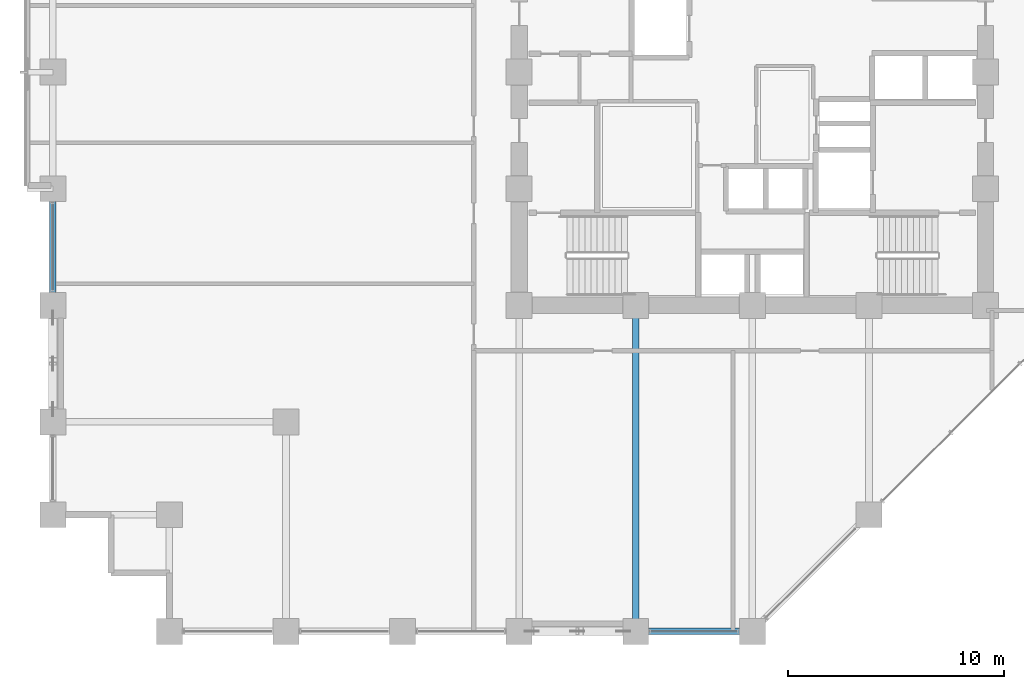
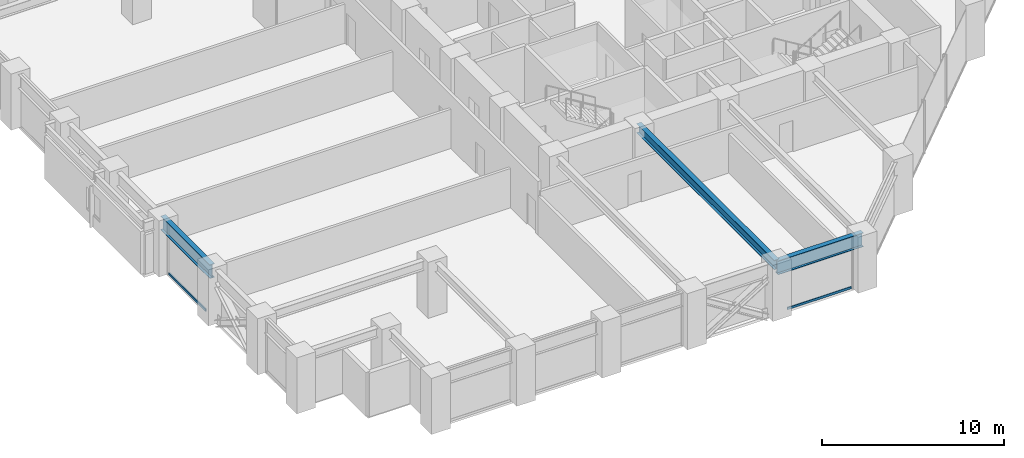
# One storey, part 5 of 27: 3 beams, 2 members, 2 elements without a shape of their own.
"""IFC4 building model written with IfcOpenShell, lengths in metres."""

import ifcopenshell
import ifcopenshell.guid

model = None  # the IFC model being written
_history = None  # IfcOwnerHistory: only IFC2X3 demands one
_inside = {}  # id of a spatial element -> (the spatial element, [elements in it])
_under = {}  # id of a project, library or spatial element -> (it, [spatial elements below it])
_declared = {}  # id of a project -> (the project, [libraries it declares])
_typed = {}  # id of a type object -> (the type object, [elements of that type])
_made_of = {}  # id of a material, layer set ... -> (it, [elements and type objects made of it])


def new_model(schema):
    """Start an empty IFC model of exactly this schema.

    Asked for "IFC4X3", IfcOpenShell would pick the latest addendum, in which some entities
    have other attributes; the version numbers below select the first issue.
    IFC2X3 requires an IfcOwnerHistory on every rooted entity: one is made here for all.
    """
    global model, _history
    if schema == "IFC4X3":
        model = ifcopenshell.file(schema_version=(4, 3, 0, 0))
    else:
        model = ifcopenshell.file(schema=schema)
    _inside.clear()
    _under.clear()
    _declared.clear()
    _typed.clear()
    _made_of.clear()
    _history = None
    if model.schema == "IFC2X3":
        org = make("IfcOrganization", Name="unknown")
        user = make(
            "IfcPersonAndOrganization",
            ThePerson=make("IfcPerson", FamilyName="unknown"),
            TheOrganization=org,
        )
        app = make(
            "IfcApplication",
            ApplicationDeveloper=org,
            Version="unknown",
            ApplicationFullName="unknown",
            ApplicationIdentifier="unknown",
        )
        _history = make(
            "IfcOwnerHistory",
            OwningUser=user,
            OwningApplication=app,
            ChangeAction="ADDED",
            CreationDate=0,
        )
    return model


def make(cls, **values):
    """One entity of the class cls with the attributes given. An attribute that is None is left unset."""
    return model.create_entity(
        cls, **{name: value for name, value in values.items() if value is not None}
    )


def rooted(cls, **values):
    """An entity with a GlobalId (a new one), such as an element, a storey or a relation."""
    return make(cls, GlobalId=ifcopenshell.guid.new(), OwnerHistory=_history, **values)


def si_unit(unit_type, name, prefix=None):
    """IfcSIUnit, for example si_unit("LENGTHUNIT", "METRE", prefix="MILLI")."""
    return make("IfcSIUnit", UnitType=unit_type, Prefix=prefix, Name=name)


def assignment(units):
    """IfcUnitAssignment: the units of a project."""
    return None if units is None else make("IfcUnitAssignment", Units=units)


def point(xyz):
    """IfcCartesianPoint."""
    return None if xyz is None else make("IfcCartesianPoint", Coordinates=xyz)


def direction(xyz):
    """IfcDirection."""
    return None if xyz is None else make("IfcDirection", DirectionRatios=xyz)


def frame(location, z_axis=None, x_axis=None):
    """IfcAxis2Placement3D, a coordinate frame: its origin and axes. An axis left out is left unset."""
    return make(
        "IfcAxis2Placement3D",
        Location=point(location),
        Axis=direction(z_axis),
        RefDirection=direction(x_axis),
    )


def frame_2d(location, x_axis=None):
    """IfcAxis2Placement2D, a coordinate frame in the plane: its origin and x axis."""
    return make(
        "IfcAxis2Placement2D", Location=point(location), RefDirection=direction(x_axis)
    )


def origin():
    """The frame at (0, 0, 0) with its axes left unset."""
    return frame((0.0, 0.0, 0.0))


def origin_2d():
    """The frame at (0, 0) in the plane with its x axis left unset."""
    return frame_2d((0.0, 0.0))


def place(relative_to, where):
    """IfcLocalPlacement: puts the frame where relative to a parent placement (None: the world)."""
    return make(
        "IfcLocalPlacement", PlacementRelTo=relative_to, RelativePlacement=where
    )


def context(
    kind, dimensions, precision=None, world=None, true_north=None, identifier=None
):
    """IfcGeometricRepresentationContext, for example the 3D "Model" context."""
    return make(
        "IfcGeometricRepresentationContext",
        ContextIdentifier=identifier,
        ContextType=kind,
        CoordinateSpaceDimension=dimensions,
        Precision=precision,
        WorldCoordinateSystem=world,
        TrueNorth=true_north,
    )


def subcontext(parent, identifier, kind, view, scale=None):
    """IfcGeometricRepresentationSubContext, for example "Body" below "Model"."""
    return make(
        "IfcGeometricRepresentationSubContext",
        ContextIdentifier=identifier,
        ContextType=kind,
        ParentContext=parent,
        TargetScale=scale,
        TargetView=view,
    )


def project(units=None, contexts=None):
    """IfcProject with its units and contexts."""
    return rooted(
        "IfcProject",
        Name="project",
        RepresentationContexts=contexts,
        UnitsInContext=assignment(units),
    )


def spatial(cls, under=None, at=None, **own):
    """A site, building, storey or space (cls), placed at a placement, below another one or the project."""
    s = rooted(cls, ObjectPlacement=at, **own)
    if under is not None:
        _under.setdefault(under.id(), (under, []))[1].append(s)
    return s


def profile(cls, at=None, kind="AREA", **sizes):
    """A parametric profile (cls). Its sizes go by their IFC names, for example OverallWidth=200.0."""
    return make(cls, ProfileType=kind, Position=at, **sizes)


def hollow_rectangle(**sizes):
    """IfcRectangleHollowProfileDef."""
    return profile("IfcRectangleHollowProfileDef", **sizes)


def i_section(**sizes):
    """IfcIShapeProfileDef."""
    return profile("IfcIShapeProfileDef", **sizes)


def extrude(swept, where, along, depth):
    """IfcExtrudedAreaSolid: the profile swept, set in the frame where, extruded along a direction by depth."""
    return make(
        "IfcExtrudedAreaSolid",
        SweptArea=swept,
        Position=where,
        ExtrudedDirection=direction(along),
        Depth=depth,
    )


def shape(context_of_items, identifier, shape_type, items):
    """IfcShapeRepresentation: the items that make up one representation, for example the "Body"."""
    return make(
        "IfcShapeRepresentation",
        ContextOfItems=context_of_items,
        RepresentationIdentifier=identifier,
        RepresentationType=shape_type,
        Items=items,
    )


def material(Name=None, Category=None):
    """IfcMaterial."""
    return make("IfcMaterial", Name=Name, Category=Category)


def layer(
    of_material, thickness, ventilated=None, Name=None, Category=None, Priority=None
):
    """IfcMaterialLayer: one layer of a wall or slab, of a material (None: an air gap)."""
    return make(
        "IfcMaterialLayer",
        Material=of_material,
        LayerThickness=thickness,
        IsVentilated=ventilated,
        Name=Name,
        Category=Category,
        Priority=Priority,
    )


def layer_set(layers, Name=None):
    """IfcMaterialLayerSet."""
    return make("IfcMaterialLayerSet", MaterialLayers=layers, LayerSetName=Name)


def material_profile(
    of_material, cross_section, Name=None, Category=None, Priority=None
):
    """IfcMaterialProfile: a cross section and its material."""
    return make(
        "IfcMaterialProfile",
        Name=Name,
        Material=of_material,
        Profile=cross_section,
        Priority=Priority,
        Category=Category,
    )


def profile_set(profiles, Name=None, composite=None):
    """IfcMaterialProfileSet."""
    return make(
        "IfcMaterialProfileSet",
        Name=Name,
        MaterialProfiles=profiles,
        CompositeProfile=composite,
    )


def made_of(thing, what):
    """Note that an element or type object is made of a material, layer set ...; save() writes the relation."""
    if what is not None:
        _made_of.setdefault(what.id(), (what, []))[1].append(thing)
    return thing


def type_object(cls, material=None, **own):
    """A type object (cls), such as IfcWallType, which elements share."""
    return made_of(rooted(cls, **own), material)


def element(
    cls,
    number,
    at=None,
    inside=None,
    cuts=None,
    type_object=None,
    material=None,
    context=None,
    identifier="Body",
    shape_type=None,
    held_by="IfcProductDefinitionShape",
    body=None,
    shapes=None,
    **own,
):
    """One element of the class cls, such as IfcWall. Its Tag is "e" and its number.

    at: its placement. inside: the storey or other place that contains it. cuts: it is an
    opening in that element (IfcRelVoidsElement). A single representation is given by context,
    identifier, shape_type and body (its items); several are given by shapes. held_by: the class
    of the entity that holds the representations. save() writes the other relations.
    """
    e = rooted(cls, Tag="e%d" % number, ObjectPlacement=at, **own)
    if body is not None:
        shapes = [shape(context, identifier, shape_type, body)]
    if shapes is not None:
        e.Representation = make(held_by, Representations=shapes)
    if inside is not None:
        _inside.setdefault(inside.id(), (inside, []))[1].append(e)
    if cuts is not None:
        rooted(
            "IfcRelVoidsElement", RelatingBuildingElement=cuts, RelatedOpeningElement=e
        )
    if type_object is not None:
        _typed.setdefault(type_object.id(), (type_object, []))[1].append(e)
    return made_of(e, material)


def aggregate(whole, parts):
    """IfcRelAggregates: a whole, such as a stair, and the parts it consists of."""
    return rooted("IfcRelAggregates", RelatingObject=whole, RelatedObjects=parts)


def save(model, path):
    """Write the relations noted so far, then the file.

    IfcRelAggregates (storeys below a building ...), IfcRelContainedInSpatialStructure (elements
    in a storey), IfcRelDefinesByType, IfcRelAssociatesMaterial and IfcRelDeclares: one each for
    every whole, place, type object, material and project.
    """
    for whole, parts in _under.values():
        aggregate(whole, parts)
    for where, things in _inside.values():
        rooted(
            "IfcRelContainedInSpatialStructure",
            RelatedElements=things,
            RelatingStructure=where,
        )
    for kind, things in _typed.values():
        rooted("IfcRelDefinesByType", RelatedObjects=things, RelatingType=kind)
    for what, things in _made_of.values():
        rooted("IfcRelAssociatesMaterial", RelatedObjects=things, RelatingMaterial=what)
    for by, libraries in _declared.values():
        rooted("IfcRelDeclares", RelatingContext=by, RelatedDefinitions=libraries)
    model.write(path)


model = new_model("IFC4")

# Units and contexts
model_context = context("Model", 3, precision=1e-05, world=origin(), true_north=direction((0.0, 1.0)))
body_context = subcontext(model_context, "Body", "Model", "MODEL_VIEW")
ifc_project = project(units=[si_unit("LENGTHUNIT", "METRE"), si_unit("AREAUNIT", "SQUARE_METRE"), si_unit("VOLUMEUNIT", "CUBIC_METRE"), si_unit("PLANEANGLEUNIT", "RADIAN"), si_unit("MASSUNIT", "GRAM", prefix="KILO")], contexts=[model_context])

# Site, building, storey
site_placement = place(None, origin())
site = spatial("IfcSite", under=ifc_project, at=site_placement, CompositionType="ELEMENT")
building_placement = place(site_placement, origin())
building = spatial("IfcBuilding", under=site, at=building_placement, Name="Surkhivell Harbour Commons", CompositionType="ELEMENT")
storey_placement = place(building_placement, frame((0.0, 0.0, 56.25)))
storey = spatial("IfcBuildingStorey", under=building, at=storey_placement, Name="L14", CompositionType="ELEMENT", Elevation=56.25)

# Beams
ifc_material_1 = material(Name="Steel S355", Category="steel")
ifc_material_profile_1 = material_profile(ifc_material_1, i_section(OverallWidth=0.306884765625, OverallDepth=0.6201171875, WebThickness=0.01416015625, FlangeThickness=0.023681640625, at=origin_2d()), Name="UB610x305x179")
ifc_profile_set_1 = profile_set([ifc_material_profile_1], Name="Steel S355")
beam_type_1 = type_object("IfcBeamType", Name="BM-GRD-610A", PredefinedType="BEAM", material=ifc_profile_set_1)
beam_1_placement = place(storey_placement, frame((-5.39990234375, -25.89990234375, 3.260009765625), z_axis=(0.0, 1.0, 0.0), x_axis=(-1.0, 0.0, 0.0)))
element("IfcBeam", 1, at=beam_1_placement, inside=storey, type_object=beam_type_1, Name="L14 Floor Girder (-5.4,-25.9)", PredefinedType="BEAM", context=body_context, shape_type="SweptSolid", body=[
    extrude(i_section(OverallWidth=0.306884765625, OverallDepth=0.6201171875, WebThickness=0.01416015625, FlangeThickness=0.023681640625, at=origin_2d()), origin(), (0.0, 0.0, 1.0), 15.099853515625),
])
ifc_material_2 = material(Name="Steel S460", Category="steel")
ifc_material_profile_2 = material_profile(ifc_material_2, i_section(OverallWidth=0.30810546875, OverallDepth=0.927001953125, WebThickness=0.01953125, FlangeThickness=0.031982421875, at=origin_2d()), Name="UB914x305x289")
ifc_profile_set_2 = profile_set([ifc_material_profile_2], Name="Steel S460")
beam_type_2 = type_object("IfcBeamType", Name="BM-SPN-914B", PredefinedType="SPANDREL", material=ifc_profile_set_2)
beam_2_placement = place(storey_placement, frame((-32.39990234375, -10.800048828125, 3.1064453125), z_axis=(0.0, 1.0, 0.0), x_axis=(-1.0, 0.0, 0.0)))
element("IfcBeam", 2, at=beam_2_placement, inside=storey, type_object=beam_type_2, Name="L14 Tube Spandrel (-32.4,-10.8)", PredefinedType="SPANDREL", context=body_context, shape_type="SweptSolid", body=[
    extrude(i_section(OverallWidth=0.30810546875, OverallDepth=0.927001953125, WebThickness=0.01953125, FlangeThickness=0.031982421875, at=origin_2d()), origin(), (0.0, 0.0, 1.0), 5.400146484375),
])
beam_3_placement = place(storey_placement, frame((-5.39990234375, -25.89990234375, 3.1064453125), z_axis=(1.0, 0.0, 0.0), x_axis=(0.0, 1.0, 0.0)))
element("IfcBeam", 3, at=beam_3_placement, inside=storey, type_object=beam_type_2, Name="L14 Tube Spandrel (-5.4,-25.9)", PredefinedType="SPANDREL", context=body_context, shape_type="SweptSolid", body=[
    extrude(i_section(OverallWidth=0.30810546875, OverallDepth=0.927001953125, WebThickness=0.01953125, FlangeThickness=0.031982421875, at=origin_2d()), origin(), (0.0, 0.0, 1.0), 5.39990234375),
])

# Curtain wall, member
ifc_material_3 = material(Name="Anodised pale-metal aluminium and insulated glazing", Category="aluminium")
ifc_layer = layer(ifc_material_3, 0.219970703125)
ifc_layer_set = layer_set([ifc_layer], Name="Anodised pale-metal aluminium and insulated glazing")
curtain_wall_type = type_object("IfcCurtainWallType", Name="CW-SYS-Z1", PredefinedType="NOTDEFINED", material=ifc_layer_set)
curtain_wall_1_placement = place(storey_placement, origin())
curtain_wall_1 = element("IfcCurtainWall", 4, at=curtain_wall_1_placement, inside=storey, type_object=curtain_wall_type, Name="L14 Curtain Wall CW-L14-E00S2", PredefinedType="NOTDEFINED")
ifc_material_4 = material(Name="Anodised pale-metal aluminium alloy 6063-T6", Category="aluminium")
ifc_material_profile_3 = material_profile(ifc_material_4, hollow_rectangle(XDim=0.074951171875, YDim=0.14990234375, WallThickness=0.00341796875, at=origin_2d()), Name="ALU-TRAN-75x150")
ifc_profile_set_3 = profile_set([ifc_material_profile_3], Name="Anodised pale-metal aluminium alloy 6063-T6")
member_type = type_object("IfcMemberType", Name="CWT-150", PredefinedType="USERDEFINED", material=ifc_profile_set_3)
member_1_placement = place(storey_placement, frame((-4.722900390625, -25.89990234375, 0.074951171875), z_axis=(1.0, 0.0, 0.0), x_axis=(0.0, 1.0, 0.0)))
member_1 = element("IfcMember", 5, at=member_1_placement, type_object=member_type, Name="CW-Z1 transom 1.1", ObjectType="TRANSOM", PredefinedType="USERDEFINED", context=body_context, shape_type="SweptSolid", body=[
    extrude(hollow_rectangle(XDim=0.074951171875, YDim=0.14990234375, WallThickness=0.00341796875, at=origin_2d()), origin(), (0.0, 0.0, 1.0), 4.0458984375),
])
aggregate(curtain_wall_1, [member_1])

curtain_wall_2_placement = place(storey_placement, origin())
curtain_wall_2 = element("IfcCurtainWall", 6, at=curtain_wall_2_placement, inside=storey, type_object=curtain_wall_type, Name="L14 Curtain Wall CW-L14-E12R1S2", PredefinedType="NOTDEFINED")
member_2_placement = place(storey_placement, frame((-32.39990234375, -10.123046875, 0.074951171875), z_axis=(0.0, 1.0, 0.0), x_axis=(-1.0, 0.0, 0.0)))
member_2 = element("IfcMember", 7, at=member_2_placement, type_object=member_type, Name="CW-Z1 transom 1.1", ObjectType="TRANSOM", PredefinedType="USERDEFINED", context=body_context, shape_type="SweptSolid", body=[
    extrude(hollow_rectangle(XDim=0.074951171875, YDim=0.14990234375, WallThickness=0.00341796875, at=origin_2d()), origin(), (0.0, 0.0, 1.0), 4.046142578125),
])
aggregate(curtain_wall_2, [member_2])

save(model, "model.ifc")
